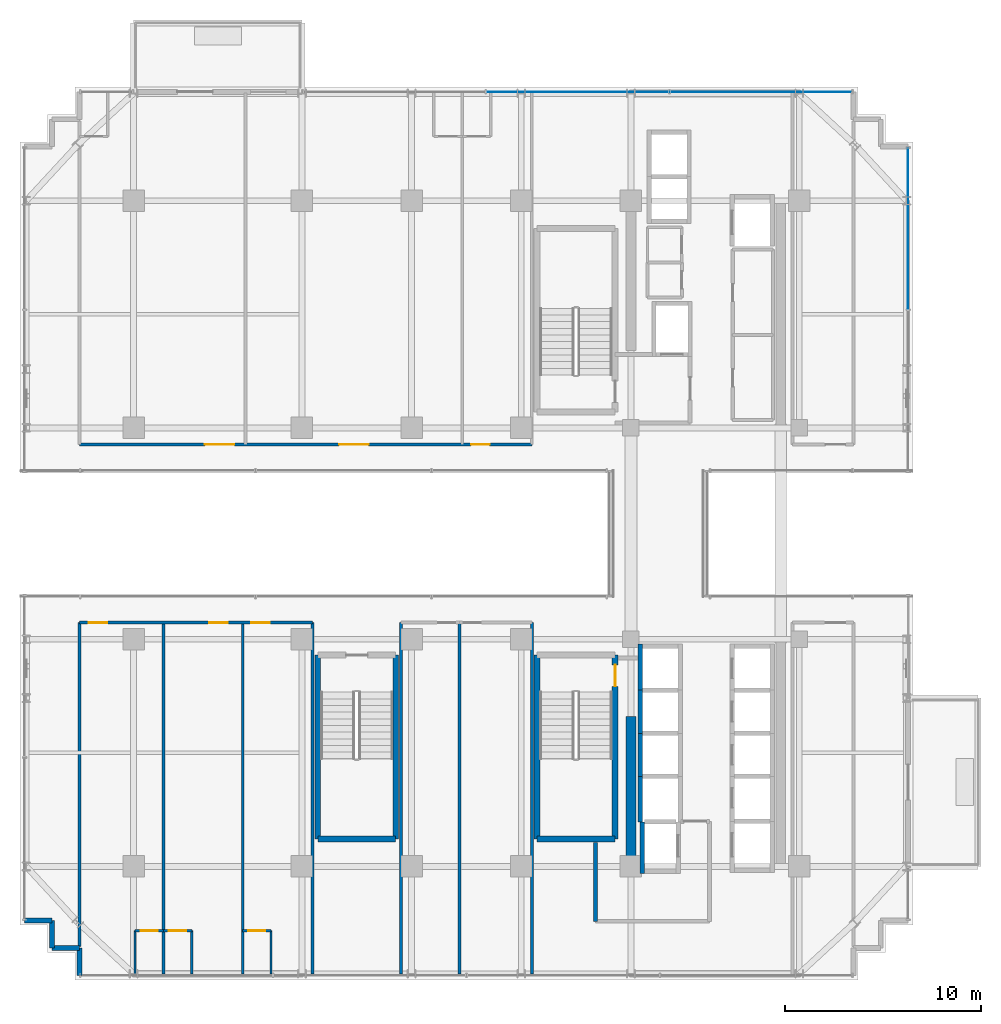
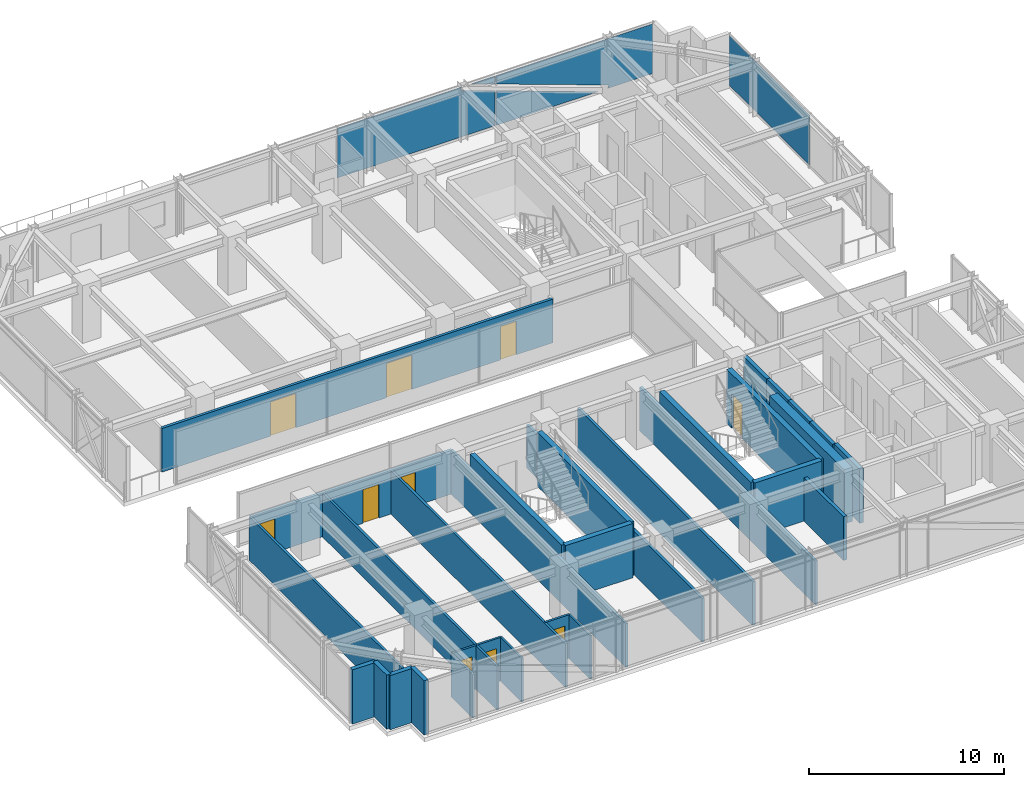
# One storey, part 29 of 36: 32 walls, 10 doors, 3 plates, 10 openings, 2 elements without a shape of their own.
"""IFC4 building model written with IfcOpenShell, lengths in metres."""

from ifc_helpers import new_model, si_unit, direction, frame, frame_2d, origin, origin_2d, place, context, subcontext, project, spatial, polyline, rectangle, outline, extrude, source, transform, mapped, material, layer, layer_set, type_object, element, fill, aggregate, save


model = new_model("IFC4")

# Units and contexts
model_context = context("Model", 3, precision=1e-05, world=origin(), true_north=direction((0.0, 1.0)))
body_context = subcontext(model_context, "Body", "Model", "MODEL_VIEW")
ifc_project = project(units=[si_unit("LENGTHUNIT", "METRE"), si_unit("AREAUNIT", "SQUARE_METRE"), si_unit("VOLUMEUNIT", "CUBIC_METRE"), si_unit("PLANEANGLEUNIT", "RADIAN"), si_unit("MASSUNIT", "GRAM", prefix="KILO")], contexts=[model_context])

# Site, building, storey
site_placement = place(None, origin())
site = spatial("IfcSite", under=ifc_project, at=site_placement, CompositionType="ELEMENT")
building_placement = place(site_placement, origin())
building = spatial("IfcBuilding", under=site, at=building_placement, Name="Nahalor Promenade Grand Hotel", CompositionType="ELEMENT")
storey_placement = place(building_placement, frame((0.0, 0.0, 174.550048828125)))
storey = spatial("IfcBuildingStorey", under=building, at=storey_placement, Name="L44", CompositionType="ELEMENT", Elevation=174.550048828125)

# Curtain wall, plates
ifc_material_1 = material(Name="Anodised Bronze Aluminium EN AW-6063 T6", Category="aluminium")
curtain_wall_type = type_object("IfcCurtainWallType", Name="CW3 Elliptical-Void Collar Unitised Curtain Wall", PredefinedType="USERDEFINED", material=ifc_material_1)
curtain_wall_1_placement = place(storey_placement, origin())
curtain_wall_1 = element("IfcCurtainWall", 1, at=curtain_wall_1_placement, inside=storey, type_object=curtain_wall_type, Name="L44 Curtain Wall CW-L44-N-3", ObjectType="UNITISED_CURTAIN_WALL", PredefinedType="USERDEFINED")
ifc_material_2 = material(Name="Low-E Laminated Solar Glass", Category="glass")
ifc_layer_1 = layer(ifc_material_2, 0.030029296875)
ifc_layer_set_1 = layer_set([ifc_layer_1], Name="Low-E Laminated Solar Glass")
plate_type = type_object("IfcPlateType", Name="CWP3 High-Wind Laminated Bronze IGU 30mm", PredefinedType="CURTAIN_PANEL", material=ifc_layer_set_1)
plate_1_placement = place(storey_placement, frame((5.679931640625, 22.56005859375, 0.14013671875), z_axis=(0.0, 0.0, 1.0), x_axis=(1.0, 0.0, 0.0)))
plate_1 = element("IfcPlate", 2, at=plate_1_placement, type_object=plate_type, Name="CW-L44-N-3 Glazing Panel 1-0", PredefinedType="CURTAIN_PANEL", context=body_context, shape_type="SweptSolid", body=[
    extrude(outline(polyline([(-4.658447265625, 0.0), (4.658447265625, 0.0), (4.658447265625, 2.19091796875), (2.62890625, 2.920166015625), (2.697021484375, 3.110107421875), (-4.658447265625, 3.110107421875), (-4.658447265625, 0.0)])), frame((0.0, 0.01513671875, 0.0), z_axis=(0.0, -1.0, 0.0), x_axis=(1.0, 0.0, 0.0)), (0.0, 0.0, 1.0), 0.030029296875),
    extrude(outline(polyline([(4.658447265625, 2.615966796875), (4.658447265625, 3.110107421875), (3.28369140625, 3.110107421875), (4.658447265625, 2.615966796875)])), frame((0.0, 0.01513671875, 0.0), z_axis=(0.0, -1.0, 0.0), x_axis=(1.0, 0.0, 0.0)), (0.0, 0.0, 1.0), 0.030029296875),
])
plate_2_placement = place(storey_placement, frame((15.049072265625, 22.56005859375, 0.14013671875), z_axis=(0.0, 0.0, 1.0), x_axis=(1.0, 0.0, 0.0)))
plate_2 = element("IfcPlate", 3, at=plate_2_placement, type_object=plate_type, Name="CW-L44-N-3 Glazing Panel 2-0", PredefinedType="CURTAIN_PANEL", context=body_context, shape_type="SweptSolid", body=[
    extrude(outline(polyline([(4.640869140625, 3.110107421875), (-4.640869140625, 3.110107421875), (-4.640869140625, 2.5908203125), (2.0419921875, 0.189697265625), (1.973876953125, 0.0), (4.640869140625, 0.0), (4.640869140625, 3.110107421875)])), frame((0.0, 0.01513671875, 0.0), z_axis=(0.0, -1.0, 0.0), x_axis=(1.0, 0.0, 0.0)), (0.0, 0.0, 1.0), 0.030029296875),
    extrude(outline(polyline([(-4.640869140625, 2.165771484375), (-4.640869140625, 0.0), (1.38720703125, 0.0), (-4.640869140625, 2.165771484375)])), frame((0.0, 0.01513671875, 0.0), z_axis=(0.0, -1.0, 0.0), x_axis=(1.0, 0.0, 0.0)), (0.0, 0.0, 1.0), 0.030029296875),
])
aggregate(curtain_wall_1, [plate_1, plate_2])

# Curtain wall, plate
curtain_wall_2_placement = place(storey_placement, origin())
curtain_wall_2 = element("IfcCurtainWall", 4, at=curtain_wall_2_placement, inside=storey, type_object=curtain_wall_type, Name="L44 Curtain Wall CW-L44-E-4", ObjectType="UNITISED_CURTAIN_WALL", PredefinedType="USERDEFINED")
shared_shape_1 = source(origin(), body_context, "Body", "SweptSolid", [
    extrude(rectangle(XDim=8.22509765625, YDim=0.030029296875, at=origin_2d()), origin(), (0.0, 0.0, 1.0), 3.110107421875),
])
plate_3_placement = place(storey_placement, frame((22.56005859375, 15.577392578125, 0.14013671875), z_axis=(0.0, 0.0, 1.0), x_axis=(0.0, 1.0, 0.0)))
plate_3 = element("IfcPlate", 5, at=plate_3_placement, type_object=plate_type, Name="CW-L44-E-4 Glazing Panel 1-0", PredefinedType="CURTAIN_PANEL", context=body_context, shape_type="MappedRepresentation", body=[
    mapped(shared_shape_1, transform((0.0, 0.0, 0.0), scale=1.0)),
])
aggregate(curtain_wall_2, [plate_3])

# Walls
ifc_material_3 = material(Name="Concrete B-60 (C50/60)", Category="concrete")
ifc_layer_2 = layer(ifc_material_3, 0.5)
ifc_layer_set_2 = layer_set([ifc_layer_2], Name="Concrete B-60 (C50/60)")
wall_type_1 = type_object("IfcWallType", Name="Wall-CoreShear-500", PredefinedType="SHEAR", material=ifc_layer_set_2)
shared_shape_2 = source(origin(), body_context, "Body", "SweptSolid", [
    extrude(rectangle(XDim=7.64990234375, YDim=0.5, at=frame_2d((3.824951171875, 0.0))), origin(), (0.0, 0.0, 1.0), 3.389892578125),
])
wall_1_placement = place(storey_placement, frame((8.39990234375, -17.0, 0.0), z_axis=(0.0, 0.0, 1.0), x_axis=(0.0, 1.0, 0.0)))
element("IfcWall", 6, at=wall_1_placement, inside=storey, type_object=wall_type_1, Name="CWALL-L44-SW", PredefinedType="SHEAR", context=body_context, shape_type="MappedRepresentation", body=[
    mapped(shared_shape_2, transform((0.0, 0.0, 0.0), scale=1.0)),
])
ifc_material_4 = material(Name="Concrete B-50 (C40/50)", Category="concrete")
ifc_layer_3 = layer(ifc_material_4, 0.300048828125)
ifc_layer_set_3 = layer_set([ifc_layer_3], Name="Concrete B-50 (C40/50)")
wall_type_2 = type_object("IfcWallType", Name="Wall-ShaftShear-300", PredefinedType="SHEAR", material=ifc_layer_set_3)
shared_shape_3 = source(origin(), body_context, "Body", "SweptSolid", [
    extrude(rectangle(XDim=3.97998046875, YDim=0.300048828125, at=frame_2d((1.989990234375, 0.0))), origin(), (0.0, 0.0, 1.0), 3.389892578125),
])
for number, where, z_axis, x_axis, name in (
    (7, (3.610107421875, -15.590087890625, 0.0), (0.0, 0.0, 1.0), (1.0, 0.0, 0.0), "L44 Exit Stair ST2 Shaft Wall S"),
    (8, (-7.590087890625, -15.590087890625, 0.0), (0.0, 0.0, 1.0), (1.0, 0.0, 0.0), "L44 Exit Stair ST3 Shaft Wall S"),
):
    element("IfcWall", number, at=place(storey_placement, frame(where, z_axis=z_axis, x_axis=x_axis)), inside=storey, type_object=wall_type_2, Name=name, PredefinedType="SHEAR", context=body_context, shape_type="MappedRepresentation", body=[
        mapped(shared_shape_3, transform((0.0, 0.0, 0.0), scale=1.0)),
    ])
shared_shape_4 = source(origin(), body_context, "Body", "SweptSolid", [
    extrude(rectangle(XDim=9.380126953125, YDim=0.300048828125, at=frame_2d((4.68994140625, 0.0))), origin(), (0.0, 0.0, 1.0), 3.389892578125),
])
wall_2_placement = place(storey_placement, frame((3.610107421875, -15.590087890625, 0.0), z_axis=(0.0, 0.0, 1.0), x_axis=(0.0, 1.0, 0.0)))
element("IfcWall", 9, at=wall_2_placement, inside=storey, type_object=wall_type_2, Name="L44 Exit Stair ST2 Shaft Wall W", PredefinedType="SHEAR", context=body_context, shape_type="MappedRepresentation", body=[
    mapped(shared_shape_4, transform((0.0, 0.0, 0.0), scale=1.0)),
])

# Wall, opening, door
wall_3_placement = place(storey_placement, frame((7.590087890625, -15.590087890625, 0.0), z_axis=(0.0, 0.0, 1.0), x_axis=(0.0, 1.0, 0.0)))
wall_3 = element("IfcWall", 10, at=wall_3_placement, inside=storey, type_object=wall_type_2, Name="L44 Exit Stair ST2 Shaft Wall E", PredefinedType="SHEAR", context=body_context, shape_type="MappedRepresentation", body=[
    mapped(shared_shape_4, transform((0.0, 0.0, 0.0), scale=1.0)),
])
opening_1_placement = place(wall_3_placement, frame((7.7900390625, 0.0, 0.0)))
opening_1 = element("IfcOpeningElement", 11, at=opening_1_placement, cuts=wall_3, Name="Opening D-ST1", PredefinedType="OPENING", context=body_context, shape_type="SweptSolid", body=[
    extrude(rectangle(XDim=1.10009765625, YDim=2.14990234375, at=frame_2d((0.550048828125, 1.074951171875))), frame((0.0, 0.159912109375, 0.0), z_axis=(0.0, -1.0, 0.0), x_axis=(1.0, 0.0, 0.0)), (0.0, 0.0, 1.0), 0.320068359375),
])
ifc_material_5 = material(Name="Steel S355JR", Category="steel")
door_type_1 = type_object("IfcDoorType", Name="Door-StairFire-1100", OperationType="NOTDEFINED", PredefinedType="DOOR", material=ifc_material_5)
shared_shape_5 = source(origin(), body_context, "Body", "SweptSolid", [
    extrude(rectangle(XDim=1.10009765625, YDim=2.14990234375, at=frame_2d((0.550048828125, 1.074951171875))), frame((0.0, 0.02490234375, 0.0), z_axis=(0.0, -1.0, 0.0), x_axis=(1.0, 0.0, 0.0)), (0.0, 0.0, 1.0), 0.050048828125),
])
door_1_placement = place(opening_1_placement, origin())
door_1 = element("IfcDoor", 12, at=door_1_placement, inside=storey, type_object=door_type_1, Name="DR-STAIR-ST2-L44", OperationType="SINGLE_SWING_LEFT", OverallHeight=2.14990234375, OverallWidth=1.10009765625, PredefinedType="DOOR", context=body_context, shape_type="MappedRepresentation", body=[
    mapped(shared_shape_5, transform((0.0, 0.0, 0.0), scale=1.0)),
])
fill(opening_1, door_1)

# Walls
for number, where, z_axis, x_axis, name in (
    (13, (-7.590087890625, -15.590087890625, 0.0), (0.0, 0.0, 1.0), (0.0, 1.0, 0.0), "L44 Exit Stair ST3 Shaft Wall W"),
    (14, (-3.610107421875, -15.590087890625, 0.0), (0.0, 0.0, 1.0), (0.0, 1.0, 0.0), "L44 Exit Stair ST3 Shaft Wall E"),
):
    element("IfcWall", number, at=place(storey_placement, frame(where, z_axis=z_axis, x_axis=x_axis)), inside=storey, type_object=wall_type_2, Name=name, PredefinedType="SHEAR", context=body_context, shape_type="MappedRepresentation", body=[
        mapped(shared_shape_4, transform((0.0, 0.0, 0.0), scale=1.0)),
    ])
ifc_layer_4 = layer(ifc_material_4, 0.219970703125)
ifc_layer_set_4 = layer_set([ifc_layer_4], Name="Concrete B-50 (C40/50)")
wall_type_3 = type_object("IfcWallType", Name="Wall-LiftShaft-220", PredefinedType="SHEAR", material=ifc_layer_set_4)
shared_shape_6 = source(origin(), body_context, "Body", "SweptSolid", [
    extrude(rectangle(XDim=2.360107421875, YDim=0.219970703125, at=frame_2d((1.18017578125, 0.0))), origin(), (0.0, 0.0, 1.0), 3.389892578125),
])
wall_4_placement = place(storey_placement, frame((8.8798828125, -8.0, 0.0), z_axis=(0.0, 0.0, 1.0), x_axis=(0.0, 1.0, 0.0)))
element("IfcWall", 15, at=wall_4_placement, inside=storey, type_object=wall_type_3, Name="L44 Lift PL9 Hoistway Wall W", PredefinedType="SHEAR", context=body_context, shape_type="MappedRepresentation", body=[
    mapped(shared_shape_6, transform((0.0, 0.0, 0.0), scale=1.0)),
])
shared_shape_7 = source(origin(), body_context, "Body", "SweptSolid", [
    extrude(rectangle(XDim=2.199951171875, YDim=0.219970703125, at=frame_2d((1.10009765625, 0.0))), origin(), (0.0, 0.0, 1.0), 3.389892578125),
])
for number, where, z_axis, x_axis, name in (
    (16, (8.8798828125, -10.199951171875, 0.0), (0.0, 0.0, 1.0), (0.0, 1.0, 0.0), "L44 Lift PL10 Hoistway Wall W"),
    (17, (8.8798828125, -12.39990234375, 0.0), (0.0, 0.0, 1.0), (0.0, 1.0, 0.0), "L44 Lift PL11 Hoistway Wall W"),
):
    element("IfcWall", number, at=place(storey_placement, frame(where, z_axis=z_axis, x_axis=x_axis)), inside=storey, type_object=wall_type_3, Name=name, PredefinedType="SHEAR", context=body_context, shape_type="MappedRepresentation", body=[
        mapped(shared_shape_7, transform((0.0, 0.0, 0.0), scale=1.0)),
    ])
shared_shape_8 = source(origin(), body_context, "Body", "SweptSolid", [
    extrude(rectangle(XDim=2.3251953125, YDim=0.219970703125, at=frame_2d((1.16259765625, 0.0))), origin(), (0.0, 0.0, 1.0), 3.389892578125),
])
wall_5_placement = place(storey_placement, frame((8.8798828125, -14.72509765625, 0.0), z_axis=(0.0, 0.0, 1.0), x_axis=(0.0, 1.0, 0.0)))
element("IfcWall", 18, at=wall_5_placement, inside=storey, type_object=wall_type_3, Name="L44 Lift PL12 Hoistway Wall W", PredefinedType="SHEAR", context=body_context, shape_type="MappedRepresentation", body=[
    mapped(shared_shape_8, transform((0.0, 0.0, 0.0), scale=1.0)),
])
shared_shape_9 = source(origin(), body_context, "Body", "SweptSolid", [
    extrude(rectangle(XDim=2.635009765625, YDim=0.219970703125, at=frame_2d((1.3173828125, 0.0))), origin(), (0.0, 0.0, 1.0), 3.389892578125),
])
wall_6_placement = place(storey_placement, frame((8.97998046875, -17.360107421875, 0.0), z_axis=(0.0, 0.0, 1.0), x_axis=(0.0, 1.0, 0.0)))
element("IfcWall", 19, at=wall_6_placement, inside=storey, type_object=wall_type_3, Name="L44 Lift FL2 Hoistway Wall W", PredefinedType="SHEAR", context=body_context, shape_type="MappedRepresentation", body=[
    mapped(shared_shape_9, transform((0.0, 0.0, 0.0), scale=1.0)),
])
ifc_material_6 = material(Name="Concrete B-40 (C32/40)", Category="concrete")
ifc_layer_5 = layer(ifc_material_6, 0.25)
ifc_layer_set_5 = layer_set([ifc_layer_5], Name="Concrete B-40 (C32/40)")
wall_type_4 = type_object("IfcWallType", Name="Wall-BronzePier-250", PredefinedType="STANDARD", material=ifc_layer_set_5)
shared_shape_10 = source(origin(), body_context, "Body", "SweptSolid", [
    extrude(rectangle(XDim=1.400146484375, YDim=0.25, at=frame_2d((0.7001953125, 0.0))), origin(), (0.0, 0.0, 1.0), 3.389892578125),
])
for number, where, z_axis, x_axis, name in (
    (20, (-22.56005859375, -19.760009765625, 0.0), (0.0, 0.0, 1.0), (1.0, 0.0, 0.0), "W-L44-SR-13"),
    (21, (-19.760009765625, -22.56005859375, 0.0), (0.0, 0.0, 1.0), (0.0, 1.0, 0.0), "W-L44-SR-16"),
):
    element("IfcWall", number, at=place(storey_placement, frame(where, z_axis=z_axis, x_axis=x_axis)), inside=storey, type_object=wall_type_4, Name=name, PredefinedType="STANDARD", context=body_context, shape_type="MappedRepresentation", body=[
        mapped(shared_shape_10, transform((0.0, 0.0, 0.0), scale=1.0)),
    ])
shared_shape_11 = source(origin(), body_context, "Body", "SweptSolid", [
    extrude(rectangle(XDim=1.39990234375, YDim=0.25, at=frame_2d((0.699951171875, 0.0))), origin(), (0.0, 0.0, 1.0), 3.389892578125),
])
for number, where, z_axis, x_axis, name in (
    (22, (-21.159912109375, -21.159912109375, 0.0), (0.0, 0.0, 1.0), (0.0, 1.0, 0.0), "W-L44-SR-14"),
    (23, (-21.159912109375, -21.159912109375, 0.0), (0.0, 0.0, 1.0), (1.0, 0.0, 0.0), "W-L44-SR-15"),
):
    element("IfcWall", number, at=place(storey_placement, frame(where, z_axis=z_axis, x_axis=x_axis)), inside=storey, type_object=wall_type_4, Name=name, PredefinedType="STANDARD", context=body_context, shape_type="MappedRepresentation", body=[
        mapped(shared_shape_11, transform((0.0, 0.0, 0.0), scale=1.0)),
    ])
ifc_layer_6 = layer(ifc_material_6, 0.199951171875)
ifc_layer_set_6 = layer_set([ifc_layer_6], Name="Concrete B-40 (C32/40)")
wall_type_5 = type_object("IfcWallType", Name="Wall-PartFire-200", PredefinedType="PARTITIONING", material=ifc_layer_set_6)
shared_shape_12 = source(origin(), body_context, "Body", "SweptSolid", [
    extrude(rectangle(XDim=4.030029296875, YDim=0.199951171875, at=frame_2d((2.01513671875, 0.0))), origin(), (0.0, 0.0, 1.0), 2.72998046875),
])
wall_7_placement = place(storey_placement, frame((6.60009765625, -19.800048828125, 0.0), z_axis=(0.0, 0.0, 1.0), x_axis=(0.0, 1.0, 0.0)))
element("IfcWall", 24, at=wall_7_placement, inside=storey, type_object=wall_type_5, Name="W-L44-FF2-W1", PredefinedType="PARTITIONING", context=body_context, shape_type="MappedRepresentation", body=[
    mapped(shared_shape_12, transform((0.0, 0.0, 0.0), scale=1.0)),
])
ifc_material_7 = material(Name="Acoustic Mineral Gypsum", Category="gypsum")
ifc_layer_7 = layer(ifc_material_7, 0.159912109375)
ifc_layer_set_7 = layer_set([ifc_layer_7], Name="Acoustic Mineral Gypsum")
wall_type_6 = type_object("IfcWallType", Name="Wall-PartCorridor-160", PredefinedType="PARTITIONING", material=ifc_layer_set_7)
shared_shape_13 = source(origin(), body_context, "Body", "SweptSolid", [
    extrude(rectangle(XDim=17.949951171875, YDim=0.159912109375, at=frame_2d((8.97509765625, 0.0))), origin(), (0.0, 0.0, 1.0), 2.72998046875),
])
for number, where, z_axis, x_axis, name in (
    (25, (-3.340087890625, -22.5, 0.0), (0.0, 0.0, 1.0), (0.0, 1.0, 0.0), "W-L44-SCB1-W"),
    (26, (-0.35009765625, -22.5, 0.0), (0.0, 0.0, 1.0), (0.0, 1.0, 0.0), "W-L44-SCB1-E"),
    (27, (3.340087890625, -22.5, 0.0), (0.0, 0.0, 1.0), (0.0, 1.0, 0.0), "W-L44-SCB2-E"),
):
    element("IfcWall", number, at=place(storey_placement, frame(where, z_axis=z_axis, x_axis=x_axis)), inside=storey, type_object=wall_type_6, Name=name, PredefinedType="PARTITIONING", context=body_context, shape_type="MappedRepresentation", body=[
        mapped(shared_shape_13, transform((0.0, 0.0, 0.0), scale=1.0)),
    ])

# Wall, opening, door
ifc_layer_8 = layer(ifc_material_7, 0.1201171875)
ifc_layer_set_8 = layer_set([ifc_layer_8], Name="Acoustic Mineral Gypsum")
wall_type_7 = type_object("IfcWallType", Name="Wall-PartBath-120", PredefinedType="PARTITIONING", material=ifc_layer_set_8)
shared_shape_14 = source(origin(), body_context, "Body", "SweptSolid", [
    extrude(rectangle(XDim=1.449951171875, YDim=0.1201171875, at=frame_2d((0.72509765625, 0.0))), origin(), (0.0, 0.0, 1.0), 2.72998046875),
])
wall_8_placement = place(storey_placement, frame((-16.926025390625, -20.280029296875, 0.0), z_axis=(0.0, 0.0, 1.0), x_axis=(1.0, 0.0, 0.0)))
wall_8 = element("IfcWall", 28, at=wall_8_placement, inside=storey, type_object=wall_type_7, Name="W-L44-S1-BH", PredefinedType="PARTITIONING", context=body_context, shape_type="MappedRepresentation", body=[
    mapped(shared_shape_14, transform((0.0, 0.0, 0.0), scale=1.0)),
])
opening_2_placement = place(wall_8_placement, frame((0.284912109375, 0.0, 0.0)))
opening_2 = element("IfcOpeningElement", 29, at=opening_2_placement, cuts=wall_8, Name="Opening D-03", PredefinedType="OPENING", context=body_context, shape_type="SweptSolid", body=[
    extrude(rectangle(XDim=0.8798828125, YDim=2.10009765625, at=frame_2d((0.43994140625, 1.050048828125))), frame((0.0, 0.070068359375, 0.0), z_axis=(0.0, -1.0, 0.0), x_axis=(1.0, 0.0, 0.0)), (0.0, 0.0, 1.0), 0.14013671875),
])
ifc_material_8 = material(Name="Fire-Rated Timber Composite", Category="wood")
door_type_2 = type_object("IfcDoorType", Name="Door-BathSwing-880", OperationType="NOTDEFINED", PredefinedType="DOOR", material=ifc_material_8)
shared_shape_15 = source(origin(), body_context, "Body", "SweptSolid", [
    extrude(rectangle(XDim=0.8798828125, YDim=2.10009765625, at=frame_2d((0.43994140625, 1.050048828125))), frame((0.0, 0.02490234375, 0.0), z_axis=(0.0, -1.0, 0.0), x_axis=(1.0, 0.0, 0.0)), (0.0, 0.0, 1.0), 0.050048828125),
])
door_2_placement = place(opening_2_placement, frame((0.8798828125, 0.0, 0.0), z_axis=(0.0, 0.0, 1.0), x_axis=(-1.0, 0.0, 0.0)))
door_2 = element("IfcDoor", 30, at=door_2_placement, inside=storey, type_object=door_type_2, Name="DR-L44-S1-BATH", OperationType="SINGLE_SWING_LEFT", OverallHeight=2.10009765625, OverallWidth=0.8798828125, PredefinedType="DOOR", context=body_context, shape_type="MappedRepresentation", body=[
    mapped(shared_shape_15, transform((0.0, 0.0, 0.0), scale=1.0)),
])
fill(opening_2, door_2)

wall_9_placement = place(storey_placement, frame((-11.429931640625, -20.280029296875, 0.0), z_axis=(0.0, 0.0, 1.0), x_axis=(1.0, 0.0, 0.0)))
wall_9 = element("IfcWall", 31, at=wall_9_placement, inside=storey, type_object=wall_type_7, Name="W-L44-S3-BH", PredefinedType="PARTITIONING", context=body_context, shape_type="MappedRepresentation", body=[
    mapped(shared_shape_14, transform((0.0, 0.0, 0.0), scale=1.0)),
])
opening_3_placement = place(wall_9_placement, frame((0.284912109375, 0.0, 0.0)))
opening_3 = element("IfcOpeningElement", 32, at=opening_3_placement, cuts=wall_9, Name="Opening D-03", PredefinedType="OPENING", context=body_context, shape_type="SweptSolid", body=[
    extrude(rectangle(XDim=0.8798828125, YDim=2.10009765625, at=frame_2d((0.43994140625, 1.050048828125))), frame((0.0, 0.070068359375, 0.0), z_axis=(0.0, -1.0, 0.0), x_axis=(1.0, 0.0, 0.0)), (0.0, 0.0, 1.0), 0.14013671875),
])
door_3_placement = place(opening_3_placement, frame((0.8798828125, 0.0, 0.0), z_axis=(0.0, 0.0, 1.0), x_axis=(-1.0, 0.0, 0.0)))
door_3 = element("IfcDoor", 33, at=door_3_placement, inside=storey, type_object=door_type_2, Name="DR-L44-S3-BATH", OperationType="SINGLE_SWING_LEFT", OverallHeight=2.10009765625, OverallWidth=0.8798828125, PredefinedType="DOOR", context=body_context, shape_type="MappedRepresentation", body=[
    mapped(shared_shape_15, transform((0.0, 0.0, 0.0), scale=1.0)),
])
fill(opening_3, door_3)

# Walls
shared_shape_16 = source(origin(), body_context, "Body", "SweptSolid", [
    extrude(rectangle(XDim=2.219970703125, YDim=0.1201171875, at=frame_2d((1.10986328125, 0.0))), origin(), (0.0, 0.0, 1.0), 2.72998046875),
])
for number, where, z_axis, x_axis, name in (
    (34, (-16.926025390625, -22.5, 0.0), (0.0, 0.0, 1.0), (0.0, 1.0, 0.0), "W-L44-S1-BV"),
    (35, (-14.02587890625, -22.5, 0.0), (0.0, 0.0, 1.0), (0.0, 1.0, 0.0), "W-L44-S2-BV"),
    (36, (-9.97998046875, -22.5, 0.0), (0.0, 0.0, 1.0), (0.0, 1.0, 0.0), "W-L44-S3-BV"),
):
    element("IfcWall", number, at=place(storey_placement, frame(where, z_axis=z_axis, x_axis=x_axis)), inside=storey, type_object=wall_type_7, Name=name, PredefinedType="PARTITIONING", context=body_context, shape_type="MappedRepresentation", body=[
        mapped(shared_shape_16, transform((0.0, 0.0, 0.0), scale=1.0)),
    ])
ifc_layer_9 = layer(ifc_material_7, 0.139892578125)
ifc_layer_set_9 = layer_set([ifc_layer_9], Name="Acoustic Mineral Gypsum")
wall_type_8 = type_object("IfcWallType", Name="Wall-PartSuite-140", PredefinedType="PARTITIONING", material=ifc_layer_set_9)
shared_shape_17 = source(origin(), body_context, "Body", "SweptSolid", [
    extrude(rectangle(XDim=17.949951171875, YDim=0.139892578125, at=frame_2d((8.97509765625, 0.0))), origin(), (0.0, 0.0, 1.0), 2.72998046875),
])
for number, where, z_axis, x_axis, name in (
    (37, (-7.860107421875, -22.5, 0.0), (0.0, 0.0, 1.0), (0.0, 1.0, 0.0), "W-L44-SW-ENDE"),
    (38, (-15.47607421875, -22.5, 0.0), (0.0, 0.0, 1.0), (0.0, 1.0, 0.0), "W-L44-SP-1"),
    (39, (-11.429931640625, -22.5, 0.0), (0.0, 0.0, 1.0), (0.0, 1.0, 0.0), "W-L44-SP-2"),
):
    element("IfcWall", number, at=place(storey_placement, frame(where, z_axis=z_axis, x_axis=x_axis)), inside=storey, type_object=wall_type_8, Name=name, PredefinedType="PARTITIONING", context=body_context, shape_type="MappedRepresentation", body=[
        mapped(shared_shape_17, transform((0.0, 0.0, 0.0), scale=1.0)),
    ])

# Wall, opening, door
shared_shape_18 = source(origin(), body_context, "Body", "SweptSolid", [
    extrude(rectangle(XDim=1.4501953125, YDim=0.1201171875, at=frame_2d((0.72509765625, 0.0))), origin(), (0.0, 0.0, 1.0), 2.72998046875),
])
wall_10_placement = place(storey_placement, frame((-15.47607421875, -20.280029296875, 0.0), z_axis=(0.0, 0.0, 1.0), x_axis=(1.0, 0.0, 0.0)))
wall_10 = element("IfcWall", 40, at=wall_10_placement, inside=storey, type_object=wall_type_7, Name="W-L44-S2-BH", PredefinedType="PARTITIONING", context=body_context, shape_type="MappedRepresentation", body=[
    mapped(shared_shape_18, transform((0.0, 0.0, 0.0), scale=1.0)),
])
opening_4_placement = place(wall_10_placement, frame((0.284912109375, 0.0, 0.0)))
opening_4 = element("IfcOpeningElement", 41, at=opening_4_placement, cuts=wall_10, Name="Opening D-03", PredefinedType="OPENING", context=body_context, shape_type="SweptSolid", body=[
    extrude(rectangle(XDim=0.8798828125, YDim=2.10009765625, at=frame_2d((0.43994140625, 1.050048828125))), frame((0.0, 0.070068359375, 0.0), z_axis=(0.0, -1.0, 0.0), x_axis=(1.0, 0.0, 0.0)), (0.0, 0.0, 1.0), 0.14013671875),
])
door_4_placement = place(opening_4_placement, frame((0.8798828125, 0.0, 0.0), z_axis=(0.0, 0.0, 1.0), x_axis=(-1.0, 0.0, 0.0)))
door_4 = element("IfcDoor", 42, at=door_4_placement, inside=storey, type_object=door_type_2, Name="DR-L44-S2-BATH", OperationType="SINGLE_SWING_LEFT", OverallHeight=2.10009765625, OverallWidth=0.8798828125, PredefinedType="DOOR", context=body_context, shape_type="MappedRepresentation", body=[
    mapped(shared_shape_15, transform((0.0, 0.0, 0.0), scale=1.0)),
])
fill(opening_4, door_4)

# Wall, openings, doors
shared_shape_19 = source(origin(), body_context, "Body", "SweptSolid", [
    extrude(rectangle(XDim=23.10009765625, YDim=0.159912109375, at=frame_2d((11.550048828125, 0.0))), origin(), (0.0, 0.0, 1.0), 2.72998046875),
])
wall_11_placement = place(storey_placement, frame((-19.760009765625, 4.550048828125, 0.0), z_axis=(0.0, 0.0, 1.0), x_axis=(1.0, 0.0, 0.0)))
wall_11 = element("IfcWall", 43, at=wall_11_placement, inside=storey, type_object=wall_type_6, Name="W-L44-CORR-N", PredefinedType="PARTITIONING", context=body_context, shape_type="MappedRepresentation", body=[
    mapped(shared_shape_19, transform((0.0, 0.0, 0.0), scale=1.0)),
])
opening_5_placement = place(wall_11_placement, frame((6.406982421875, 0.0, 0.0)))
opening_5 = element("IfcOpeningElement", 44, at=opening_5_placement, cuts=wall_11, Name="Opening D-02", PredefinedType="OPENING", context=body_context, shape_type="SweptSolid", body=[
    extrude(rectangle(XDim=1.5, YDim=2.14990234375, at=frame_2d((0.75, 1.074951171875))), frame((0.0, 0.08984375, 0.0), z_axis=(0.0, -1.0, 0.0), x_axis=(1.0, 0.0, 0.0)), (0.0, 0.0, 1.0), 0.179931640625),
])
opening_6_placement = place(wall_11_placement, frame((13.262939453125, 0.0, 0.0)))
opening_6 = element("IfcOpeningElement", 45, at=opening_6_placement, cuts=wall_11, Name="Opening D-02", PredefinedType="OPENING", context=body_context, shape_type="SweptSolid", body=[
    extrude(rectangle(XDim=1.5, YDim=2.14990234375, at=frame_2d((0.75, 1.074951171875))), frame((0.0, 0.08984375, 0.0), z_axis=(0.0, -1.0, 0.0), x_axis=(1.0, 0.0, 0.0)), (0.0, 0.0, 1.0), 0.179931640625),
])
opening_7_placement = place(wall_11_placement, frame((19.993896484375, 0.0, 0.0)))
opening_7 = element("IfcOpeningElement", 46, at=opening_7_placement, cuts=wall_11, Name="Opening D-01", PredefinedType="OPENING", context=body_context, shape_type="SweptSolid", body=[
    extrude(rectangle(XDim=0.949951171875, YDim=2.10009765625, at=frame_2d((0.47509765625, 1.050048828125))), frame((0.0, 0.08984375, 0.0), z_axis=(0.0, -1.0, 0.0), x_axis=(1.0, 0.0, 0.0)), (0.0, 0.0, 1.0), 0.179931640625),
])
door_type_3 = type_object("IfcDoorType", Name="Door-SuiteDouble-1500", OperationType="DOUBLE_DOOR_SINGLE_SWING", PredefinedType="DOOR", material=ifc_material_8)
shared_shape_20 = source(origin(), body_context, "Body", "SweptSolid", [
    extrude(rectangle(XDim=1.5, YDim=2.14990234375, at=frame_2d((0.75, 1.074951171875))), frame((0.0, 0.02490234375, 0.0), z_axis=(0.0, -1.0, 0.0), x_axis=(1.0, 0.0, 0.0)), (0.0, 0.0, 1.0), 0.050048828125),
])
door_5_placement = place(opening_5_placement, origin())
door_5 = element("IfcDoor", 47, at=door_5_placement, inside=storey, type_object=door_type_3, Name="DR-L44-N1-ENT", OperationType="DOUBLE_DOOR_SINGLE_SWING", OverallHeight=2.14990234375, OverallWidth=1.5, PredefinedType="DOOR", context=body_context, shape_type="MappedRepresentation", body=[
    mapped(shared_shape_20, transform((0.0, 0.0, 0.0), scale=1.0)),
])
fill(opening_5, door_5)
door_6_placement = place(opening_6_placement, origin())
door_6 = element("IfcDoor", 48, at=door_6_placement, inside=storey, type_object=door_type_3, Name="DR-L44-N2-ENT", OperationType="DOUBLE_DOOR_SINGLE_SWING", OverallHeight=2.14990234375, OverallWidth=1.5, PredefinedType="DOOR", context=body_context, shape_type="MappedRepresentation", body=[
    mapped(shared_shape_20, transform((0.0, 0.0, 0.0), scale=1.0)),
])
fill(opening_6, door_6)
door_type_4 = type_object("IfcDoorType", Name="Door-GuestEntry-950", OperationType="NOTDEFINED", PredefinedType="DOOR", material=ifc_material_8)
shared_shape_21 = source(origin(), body_context, "Body", "SweptSolid", [
    extrude(rectangle(XDim=0.949951171875, YDim=2.10009765625, at=frame_2d((0.47509765625, 1.050048828125))), frame((0.0, 0.02490234375, 0.0), z_axis=(0.0, -1.0, 0.0), x_axis=(1.0, 0.0, 0.0)), (0.0, 0.0, 1.0), 0.050048828125),
])
door_7_placement = place(opening_7_placement, origin())
door_7 = element("IfcDoor", 49, at=door_7_placement, inside=storey, type_object=door_type_4, Name="DR-L44-N3-ENT", OperationType="SINGLE_SWING_RIGHT", OverallHeight=2.10009765625, OverallWidth=0.949951171875, PredefinedType="DOOR", context=body_context, shape_type="MappedRepresentation", body=[
    mapped(shared_shape_21, transform((0.0, 0.0, 0.0), scale=1.0)),
])
fill(opening_7, door_7)

# Wall
shared_shape_22 = source(origin(), body_context, "Body", "SweptSolid", [
    extrude(rectangle(XDim=16.530029296875, YDim=0.139892578125, at=frame_2d((8.26513671875, 0.0))), origin(), (0.0, 0.0, 1.0), 2.72998046875),
])
wall_12_placement = place(storey_placement, frame((-19.760009765625, -21.080078125, 0.0), z_axis=(0.0, 0.0, 1.0), x_axis=(0.0, 1.0, 0.0)))
element("IfcWall", 50, at=wall_12_placement, inside=storey, type_object=wall_type_8, Name="W-L44-SW-ENDW", PredefinedType="PARTITIONING", context=body_context, shape_type="MappedRepresentation", body=[
    mapped(shared_shape_22, transform((0.0, 0.0, 0.0), scale=1.0)),
])

# Wall, openings, doors
shared_shape_23 = source(origin(), body_context, "Body", "SweptSolid", [
    extrude(rectangle(XDim=11.89990234375, YDim=0.159912109375, at=frame_2d((5.949951171875, 0.0))), origin(), (0.0, 0.0, 1.0), 2.72998046875),
])
wall_13_placement = place(storey_placement, frame((-19.760009765625, -4.550048828125, 0.0), z_axis=(0.0, 0.0, 1.0), x_axis=(1.0, 0.0, 0.0)))
wall_13 = element("IfcWall", 51, at=wall_13_placement, inside=storey, type_object=wall_type_6, Name="W-L44-CORR-S", PredefinedType="PARTITIONING", context=body_context, shape_type="MappedRepresentation", body=[
    mapped(shared_shape_23, transform((0.0, 0.0, 0.0), scale=1.0)),
])
opening_8_placement = place(wall_13_placement, frame((0.4599609375, 0.0, 0.0)))
opening_8 = element("IfcOpeningElement", 52, at=opening_8_placement, cuts=wall_13, Name="Opening D-01", PredefinedType="OPENING", context=body_context, shape_type="SweptSolid", body=[
    extrude(rectangle(XDim=0.949951171875, YDim=2.10009765625, at=frame_2d((0.47509765625, 1.050048828125))), frame((0.0, 0.08984375, 0.0), z_axis=(0.0, -1.0, 0.0), x_axis=(1.0, 0.0, 0.0)), (0.0, 0.0, 1.0), 0.179931640625),
])
opening_9_placement = place(wall_13_placement, frame((6.626953125, 0.0, 0.0)))
opening_9 = element("IfcOpeningElement", 53, at=opening_9_placement, cuts=wall_13, Name="Opening D-01", PredefinedType="OPENING", context=body_context, shape_type="SweptSolid", body=[
    extrude(rectangle(XDim=0.949951171875, YDim=2.10009765625, at=frame_2d((0.47509765625, 1.050048828125))), frame((0.0, 0.08984375, 0.0), z_axis=(0.0, -1.0, 0.0), x_axis=(1.0, 0.0, 0.0)), (0.0, 0.0, 1.0), 0.179931640625),
])
opening_10_placement = place(wall_13_placement, frame((8.77392578125, 0.0, 0.0)))
opening_10 = element("IfcOpeningElement", 54, at=opening_10_placement, cuts=wall_13, Name="Opening D-01", PredefinedType="OPENING", context=body_context, shape_type="SweptSolid", body=[
    extrude(rectangle(XDim=0.949951171875, YDim=2.10009765625, at=frame_2d((0.47509765625, 1.050048828125))), frame((0.0, 0.08984375, 0.0), z_axis=(0.0, -1.0, 0.0), x_axis=(1.0, 0.0, 0.0)), (0.0, 0.0, 1.0), 0.179931640625),
])
door_8_placement = place(opening_8_placement, frame((0.949951171875, 0.0, 0.0), z_axis=(0.0, 0.0, 1.0), x_axis=(-1.0, 0.0, 0.0)))
door_8 = element("IfcDoor", 55, at=door_8_placement, inside=storey, type_object=door_type_4, Name="DR-L44-S1-ENT", OperationType="SINGLE_SWING_RIGHT", OverallHeight=2.10009765625, OverallWidth=0.949951171875, PredefinedType="DOOR", context=body_context, shape_type="MappedRepresentation", body=[
    mapped(shared_shape_21, transform((0.0, 0.0, 0.0), scale=1.0)),
])
fill(opening_8, door_8)
door_9_placement = place(opening_9_placement, frame((0.949951171875, 0.0, 0.0), z_axis=(0.0, 0.0, 1.0), x_axis=(-1.0, 0.0, 0.0)))
door_9 = element("IfcDoor", 56, at=door_9_placement, inside=storey, type_object=door_type_4, Name="DR-L44-S2-ENT", OperationType="SINGLE_SWING_RIGHT", OverallHeight=2.10009765625, OverallWidth=0.949951171875, PredefinedType="DOOR", context=body_context, shape_type="MappedRepresentation", body=[
    mapped(shared_shape_21, transform((0.0, 0.0, 0.0), scale=1.0)),
])
fill(opening_9, door_9)
door_10_placement = place(opening_10_placement, frame((0.949951171875, 0.0, 0.0), z_axis=(0.0, 0.0, 1.0), x_axis=(-1.0, 0.0, 0.0)))
door_10 = element("IfcDoor", 57, at=door_10_placement, inside=storey, type_object=door_type_4, Name="DR-L44-S3-ENT", OperationType="SINGLE_SWING_RIGHT", OverallHeight=2.10009765625, OverallWidth=0.949951171875, PredefinedType="DOOR", context=body_context, shape_type="MappedRepresentation", body=[
    mapped(shared_shape_21, transform((0.0, 0.0, 0.0), scale=1.0)),
])
fill(opening_10, door_10)

save(model, "model.ifc")
